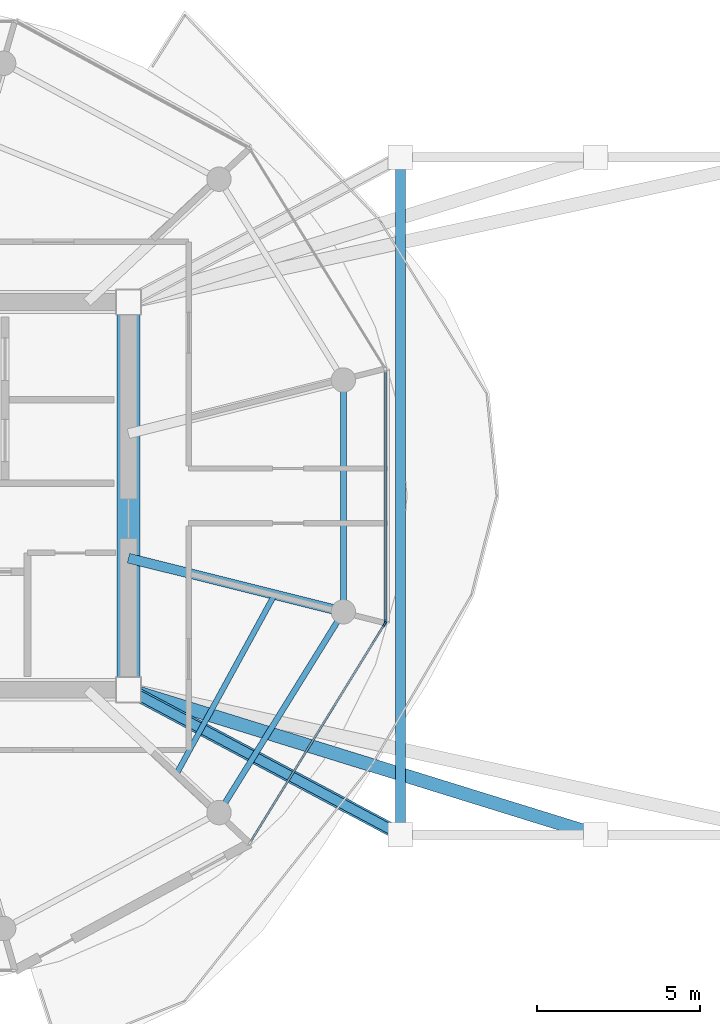
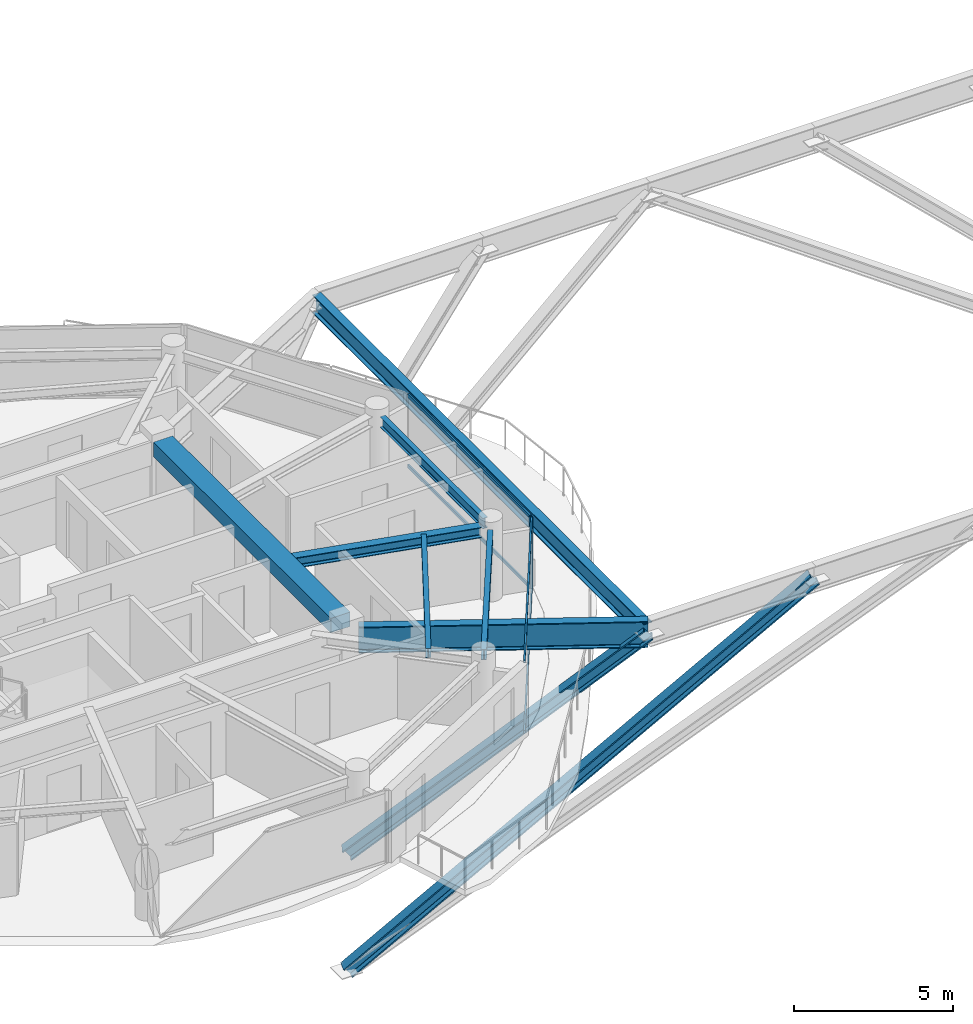
# One storey, part 3 of 23: 8 members, 7 beams, 2 elements without a shape of their own.
"""IFC4 building model written with IfcOpenShell, lengths in metres."""

from ifc_helpers import new_model, si_unit, direction, frame, origin, origin_2d, place, context, subcontext, project, spatial, rectangle, i_section, extrude, source, transform, mapped, material, layer, layer_set, material_profile, profile_set, type_object, type_shapes, element, aggregate, save


model = new_model("IFC4")

# Units and contexts
model_context = context("Model", 3, precision=1e-05, world=origin(), true_north=direction((0.0, 1.0)))
body_context = subcontext(model_context, "Body", "Model", "MODEL_VIEW")
ifc_project = project(units=[si_unit("LENGTHUNIT", "METRE"), si_unit("AREAUNIT", "SQUARE_METRE"), si_unit("VOLUMEUNIT", "CUBIC_METRE"), si_unit("PLANEANGLEUNIT", "RADIAN"), si_unit("MASSUNIT", "GRAM", prefix="KILO")], contexts=[model_context])

# Site, building, storey
site_placement = place(None, origin())
site = spatial("IfcSite", under=ifc_project, at=site_placement, CompositionType="ELEMENT")
building_placement = place(site_placement, origin())
building = spatial("IfcBuilding", under=site, at=building_placement, Name="Norrkilde Senior Care Towers", CompositionType="ELEMENT")
storey_placement = place(building_placement, frame((0.0, 0.0, 196.75)))
storey = spatial("IfcBuildingStorey", under=building, at=storey_placement, Name="L61", CompositionType="ELEMENT", Elevation=196.75)

# Beams
ifc_material_1 = material(Name="Concrete C60/75", Category="concrete")
ifc_material_profile_1 = material_profile(ifc_material_1, rectangle(XDim=0.699951171875, YDim=0.550048828125, at=origin_2d()), Name="RC BM 700x550")
ifc_profile_set_1 = profile_set([ifc_material_profile_1], Name="Concrete C60/75")
beam_type_1 = type_object("IfcBeamType", Name="Core Portal Coupling Beam 700x550", PredefinedType="USERDEFINED", material=ifc_profile_set_1)
shared_shape_1 = source(origin(), body_context, "Body", "SweptSolid", [
    extrude(rectangle(XDim=0.699951171875, YDim=0.550048828125, at=origin_2d()), origin(), (0.0, 0.0, 1.0), 11.14013671875),
])
type_shapes(beam_type_1, [shared_shape_1])
beam_1_placement = place(storey_placement, frame((-20.35009765625, -5.570068359375, 2.485107421875), z_axis=(0.0, 1.0, 0.0), x_axis=(-1.0, 0.0, 0.0)))
element("IfcBeam", 1, at=beam_1_placement, inside=storey, type_object=beam_type_1, Name="L61 Core W E Coupling Girder", ObjectType="GIRDER", PredefinedType="USERDEFINED", context=body_context, shape_type="MappedRepresentation", body=[
    mapped(shared_shape_1, transform((0.0, 0.0, 0.0), x_axis=(1.0, 0.0, 0.0), y_axis=(0.0, 1.0, 0.0), z_axis=(0.0, 0.0, 1.0), scale=1.0)),
])
ifc_material_2 = material(Name="Steel S355", Category="steel")
ifc_material_profile_2 = material_profile(ifc_material_2, i_section(OverallWidth=0.179931640625, OverallDepth=0.39990234375, WebThickness=0.008544921875, FlangeThickness=0.013427734375, FilletRadius=0.02099609375, at=origin_2d()), Name="IPE 400")
ifc_profile_set_2 = profile_set([ifc_material_profile_2], Name="Steel S355")
beam_type_2 = type_object("IfcBeamType", Name="Perimeter Ring Spandrel Z4 IPE400", PredefinedType="SPANDREL", material=ifc_profile_set_2)
shared_shape_2 = source(origin(), body_context, "Body", "SweptSolid", [
    extrude(i_section(OverallWidth=0.179931640625, OverallDepth=0.39990234375, WebThickness=0.008544921875, FlangeThickness=0.013427734375, FilletRadius=0.02099609375, at=origin_2d()), origin(), (0.0, 0.0, 1.0), 6.58056640625),
])
beam_2_placement = place(storey_placement, frame((-17.393798828125, -9.43798828125, 2.56005859375), z_axis=(0.526529583789, 0.850156807533, 0.0), x_axis=(-0.850156807533, 0.526529583789, 0.0)))
element("IfcBeam", 2, at=beam_2_placement, inside=storey, type_object=beam_type_2, Name="L61 Drum W Perimeter Spandrel 11", PredefinedType="SPANDREL", context=body_context, shape_type="MappedRepresentation", body=[
    mapped(shared_shape_2, transform((0.0, 0.0, 0.0), x_axis=(1.0, 0.0, 0.0), y_axis=(0.0, 1.0, 0.0), z_axis=(0.0, 0.0, 1.0), scale=1.0)),
])
ifc_material_profile_3 = material_profile(ifc_material_2, i_section(OverallWidth=0.300048828125, OverallDepth=0.39990234375, WebThickness=0.013427734375, FlangeThickness=0.02392578125, FilletRadius=0.027099609375, at=origin_2d()), Name="HEB 400")
ifc_profile_set_3 = profile_set([ifc_material_profile_3], Name="Steel S355")
beam_type_3 = type_object("IfcBeamType", Name="Radial Floor Beam Z4 HEB400", PredefinedType="BEAM", material=ifc_profile_set_3)
shared_shape_3 = source(origin(), body_context, "Body", "SweptSolid", [
    extrude(i_section(OverallWidth=0.300048828125, OverallDepth=0.39990234375, WebThickness=0.013427734375, FlangeThickness=0.02392578125, FilletRadius=0.027099609375, at=origin_2d()), origin(), (0.0, 0.0, 1.0), 6.465087890625),
])
type_shapes(beam_type_3, [shared_shape_3])
beam_3_placement = place(storey_placement, frame((-20.35009765625, -1.910888671875, 2.56005859375), z_axis=(0.970195788563, -0.242322371758, 0.0), x_axis=(0.242322371758, 0.970195788563, 0.0)))
element("IfcBeam", 3, at=beam_3_placement, inside=storey, type_object=beam_type_3, Name="L61 Drum W Radial Floor Beam 12", PredefinedType="BEAM", context=body_context, shape_type="MappedRepresentation", body=[
    mapped(shared_shape_3, transform((0.0, 0.0, 0.0), x_axis=(1.0, 0.0, 0.0), y_axis=(0.0, 1.0, 0.0), z_axis=(0.0, 0.0, 1.0), scale=1.0)),
])
shared_shape_4 = source(origin(), body_context, "Body", "SweptSolid", [
    extrude(i_section(OverallWidth=0.179931640625, OverallDepth=0.39990234375, WebThickness=0.008544921875, FlangeThickness=0.013427734375, FilletRadius=0.02099609375, at=origin_2d()), origin(), (0.0, 0.0, 1.0), 6.44775390625),
])
type_shapes(beam_type_2, [shared_shape_2, shared_shape_4])
beam_4_placement = place(storey_placement, frame((-13.752685546875, -3.223876953125, 2.56005859375), z_axis=(0.0, 1.0, 0.0), x_axis=(-1.0, 0.0, 0.0)))
element("IfcBeam", 4, at=beam_4_placement, inside=storey, type_object=beam_type_2, Name="L61 Drum W Perimeter Spandrel 12", PredefinedType="SPANDREL", context=body_context, shape_type="MappedRepresentation", body=[
    mapped(shared_shape_4, transform((0.0, 0.0, 0.0), x_axis=(1.0, 0.0, 0.0), y_axis=(0.0, 1.0, 0.0), z_axis=(0.0, 0.0, 1.0), scale=1.0)),
])
ifc_material_profile_4 = material_profile(ifc_material_2, i_section(OverallWidth=0.169921875, OverallDepth=0.360107421875, WebThickness=0.008056640625, FlangeThickness=0.0126953125, FilletRadius=0.01806640625, at=origin_2d()), Name="IPE 360")
ifc_profile_set_4 = profile_set([ifc_material_profile_4], Name="Steel S355")
beam_type_4 = type_object("IfcBeamType", Name="Secondary Floor Joist IPE360", PredefinedType="JOIST", material=ifc_profile_set_4)
shared_shape_5 = source(origin(), body_context, "Body", "SweptSolid", [
    extrude(i_section(OverallWidth=0.169921875, OverallDepth=0.360107421875, WebThickness=0.008056640625, FlangeThickness=0.0126953125, FilletRadius=0.01806640625, at=origin_2d()), origin(), (0.0, 0.0, 1.0), 6.25146484375),
])
type_shapes(beam_type_4, [shared_shape_5])
beam_5_placement = place(storey_placement, frame((-18.865234375, -8.515380859375, 2.580078125), z_axis=(0.480115752653, 0.877205143655, 0.0), x_axis=(-0.877205143655, 0.480115752653, 0.0)))
element("IfcBeam", 5, at=beam_5_placement, inside=storey, type_object=beam_type_4, Name="L61 Drum W Secondary Floor Joist 4", PredefinedType="JOIST", context=body_context, shape_type="MappedRepresentation", body=[
    mapped(shared_shape_5, transform((0.0, 0.0, 0.0), x_axis=(1.0, 0.0, 0.0), y_axis=(0.0, 1.0, 0.0), z_axis=(0.0, 0.0, 1.0), scale=1.0)),
])
ifc_material_profile_5 = material_profile(ifc_material_2, i_section(OverallWidth=0.300048828125, OverallDepth=1.0, WebThickness=0.01904296875, FlangeThickness=0.035888671875, FilletRadius=0.030029296875, at=origin_2d()), Name="HEB 1000")
ifc_profile_set_5 = profile_set([ifc_material_profile_5], Name="Steel S355")
beam_type_5 = type_object("IfcBeamType", Name="Sky Pool Cantilever Girder HEB1000", PredefinedType="USERDEFINED", material=ifc_profile_set_5)
shared_shape_6 = source(origin(), body_context, "Body", "SweptSolid", [
    extrude(i_section(OverallWidth=0.300048828125, OverallDepth=1.0, WebThickness=0.01904296875, FlangeThickness=0.035888671875, FilletRadius=0.030029296875, at=origin_2d()), origin(), (0.0, 0.0, 1.0), 9.081787109375),
])
type_shapes(beam_type_5, [shared_shape_6])
beam_6_placement = place(storey_placement, frame((-20.0146484375, -6.128662109375, 2.1298828125), z_axis=(0.882500984168, -0.47031054947, 0.0), x_axis=(0.47031054947, 0.882500984168, 0.0)))
element("IfcBeam", 6, at=beam_6_placement, inside=storey, type_object=beam_type_5, Name="L61 Sky-Gate Bridge Transfer Girder S1", ObjectType="GIRDER", PredefinedType="USERDEFINED", context=body_context, shape_type="MappedRepresentation", body=[
    mapped(shared_shape_6, transform((0.0, 0.0, 0.0), x_axis=(1.0, 0.0, 0.0), y_axis=(0.0, 1.0, 0.0), z_axis=(0.0, 0.0, 1.0), scale=1.0)),
])

# Members
ifc_material_profile_6 = material_profile(ifc_material_2, i_section(OverallWidth=0.412109375, OverallDepth=0.449951171875, WebThickness=0.028076171875, FlangeThickness=0.044921875, FilletRadius=0.014892578125, at=origin_2d()), Name="HD 400x509")
ifc_profile_set_6 = profile_set([ifc_material_profile_6], Name="Steel S355")
member_type_1 = type_object("IfcMemberType", Name="Pratt Bridge Truss Diagonal HD400x509", PredefinedType="BRACE", material=ifc_profile_set_6)
shared_shape_7 = source(origin(), body_context, "Body", "SweptSolid", [
    extrude(i_section(OverallWidth=0.412109375, OverallDepth=0.449951171875, WebThickness=0.028076171875, FlangeThickness=0.044921875, FilletRadius=0.014892578125, at=origin_2d()), origin(), (0.0, 0.0, 1.0), 12.540283203125),
])
member_1_placement = place(storey_placement, frame((-20.35009765625, -5.949951171875, -6.10009765625), z_axis=(0.665861815831, -0.354852444803, 0.656283311258), x_axis=(0.470305631528, 0.882503605065, 0.0)))
element("IfcMember", 7, at=member_1_placement, inside=storey, type_object=member_type_1, Name="L61 Sky-Gate Portal Arch Strut S-W12", PredefinedType="BRACE", context=body_context, shape_type="MappedRepresentation", body=[
    mapped(shared_shape_7, transform((0.0, 0.0, 0.0), x_axis=(1.0, 0.0, 0.0), y_axis=(0.0, 1.0, 0.0), z_axis=(0.0, 0.0, 1.0), scale=1.0)),
])
shared_shape_8 = source(origin(), body_context, "Body", "SweptSolid", [
    extrude(i_section(OverallWidth=0.412109375, OverallDepth=0.449951171875, WebThickness=0.028076171875, FlangeThickness=0.044921875, FilletRadius=0.014892578125, at=origin_2d()), origin(), (0.0, 0.0, 1.0), 19.692138671875),
])
type_shapes(member_type_1, [shared_shape_7, shared_shape_8])
member_2_placement = place(storey_placement, frame((-20.35009765625, -5.949951171875, -10.60009765625), z_axis=(0.728722672349, -0.225976184098, 0.646450331444), x_axis=(0.296185052015, 0.955130574824, 0.0)))
element("IfcMember", 8, at=member_2_placement, inside=storey, type_object=member_type_1, Name="L61 Sky-Gate Portal Arch Strut S-W06", PredefinedType="BRACE", context=body_context, shape_type="MappedRepresentation", body=[
    mapped(shared_shape_8, transform((0.0, 0.0, 0.0), x_axis=(1.0, 0.0, 0.0), y_axis=(0.0, 1.0, 0.0), z_axis=(0.0, 0.0, 1.0), scale=1.0)),
])

# Beam
ifc_material_profile_7 = material_profile(ifc_material_2, i_section(OverallWidth=0.300048828125, OverallDepth=0.699951171875, WebThickness=0.01708984375, FlangeThickness=0.031982421875, FilletRadius=0.027099609375, at=origin_2d()), Name="HEB 700")
ifc_profile_set_7 = profile_set([ifc_material_profile_7], Name="Steel S355")
beam_type_6 = type_object("IfcBeamType", Name="Bridge Cross Girder HEB700", PredefinedType="USERDEFINED", material=ifc_profile_set_7)
shared_shape_9 = source(origin(), body_context, "Body", "SweptSolid", [
    extrude(i_section(OverallWidth=0.300048828125, OverallDepth=0.699951171875, WebThickness=0.01708984375, FlangeThickness=0.031982421875, FilletRadius=0.027099609375, at=origin_2d()), origin(), (0.0, 0.0, 1.0), 20.7998046875),
])
type_shapes(beam_type_6, [shared_shape_9])
beam_7_placement = place(storey_placement, frame((-12.0, -10.39990234375, 2.1298828125), z_axis=(0.0, 1.0, 0.0), x_axis=(-1.0, 0.0, 0.0)))
element("IfcBeam", 9, at=beam_7_placement, inside=storey, type_object=beam_type_6, Name="L61 Sky-Gate Base Cross Girder -12", ObjectType="GIRDER", PredefinedType="USERDEFINED", context=body_context, shape_type="MappedRepresentation", body=[
    mapped(shared_shape_9, transform((0.0, 0.0, 0.0), x_axis=(1.0, 0.0, 0.0), y_axis=(0.0, 1.0, 0.0), z_axis=(0.0, 0.0, 1.0), scale=1.0)),
])

# Curtain wall, members
ifc_material_3 = material(Name="Triple Low-E Insulated Glazing", Category="glass")
ifc_layer = layer(ifc_material_3, 0.18505859375)
ifc_layer_set = layer_set([ifc_layer], Name="Triple Low-E Insulated Glazing")
curtain_wall_type = type_object("IfcCurtainWallType", Name="CW6 Zone 4 Crown Pavilion Curtain Wall", PredefinedType="NOTDEFINED", material=ifc_layer_set)
curtain_wall_1_placement = place(storey_placement, origin())
curtain_wall_1 = element("IfcCurtainWall", 10, at=curtain_wall_1_placement, inside=storey, type_object=curtain_wall_type, Name="L61 Drum W Curtain Wall 10", PredefinedType="NOTDEFINED")
ifc_material_4 = material(Name="Anodised Aluminium", Category="aluminium")
ifc_material_profile_8 = material_profile(ifc_material_4, rectangle(XDim=0.06005859375, YDim=0.1201171875, at=origin_2d()), Name="ALU TRAN 60x120")
ifc_profile_set_8 = profile_set([ifc_material_profile_8], Name="Anodised Aluminium")
member_type_2 = type_object("IfcMemberType", Name="Curtain Wall Transom Typical 60x120", PredefinedType="USERDEFINED", material=ifc_profile_set_8)
shared_shape_10 = source(origin(), body_context, "Body", "SweptSolid", [
    extrude(rectangle(XDim=0.06005859375, YDim=0.1201171875, at=origin_2d()), origin(), (0.0, 0.0, 1.0), 7.808837890625),
])
member_3_placement = place(storey_placement, frame((-12.501953125, -3.958251953125, 0.030029296875), z_axis=(-0.524250924101, -0.851563837055, 0.0), x_axis=(0.851563837055, -0.524250924101, 0.0)))
member_3 = element("IfcMember", 11, at=member_3_placement, type_object=member_type_2, Name="CW-6 transom 1.1", ObjectType="TRANSOM", PredefinedType="USERDEFINED", context=body_context, shape_type="MappedRepresentation", body=[
    mapped(shared_shape_10, transform((0.0, 0.0, 0.0), x_axis=(1.0, 0.0, 0.0), y_axis=(0.0, 1.0, 0.0), z_axis=(0.0, 0.0, 1.0), scale=1.0)),
])
member_4_placement = place(storey_placement, frame((-12.501953125, -3.958251953125, 2.72998046875), z_axis=(-0.524250924101, -0.851563837055, 0.0), x_axis=(0.851563837055, -0.524250924101, 0.0)))
member_4 = element("IfcMember", 12, at=member_4_placement, type_object=member_type_2, Name="CW-6 transom 1.2", ObjectType="TRANSOM", PredefinedType="USERDEFINED", context=body_context, shape_type="MappedRepresentation", body=[
    mapped(shared_shape_10, transform((0.0, 0.0, 0.0), x_axis=(1.0, 0.0, 0.0), y_axis=(0.0, 1.0, 0.0), z_axis=(0.0, 0.0, 1.0), scale=1.0)),
])

curtain_wall_2_placement = place(storey_placement, origin())
curtain_wall_2 = element("IfcCurtainWall", 13, at=curtain_wall_2_placement, inside=storey, type_object=curtain_wall_type, Name="L61 Drum W Curtain Wall 11", PredefinedType="NOTDEFINED")
shared_shape_11 = source(origin(), body_context, "Body", "SweptSolid", [
    extrude(rectangle(XDim=0.06005859375, YDim=0.1201171875, at=origin_2d()), origin(), (0.0, 0.0, 1.0), 7.67578125),
])
type_shapes(member_type_2, [shared_shape_10, shared_shape_11])
member_5_placement = place(storey_placement, frame((-12.468017578125, 3.837890625, 0.030029296875), z_axis=(0.0, -1.0, 0.0), x_axis=(1.0, 0.0, 0.0)))
member_5 = element("IfcMember", 14, at=member_5_placement, type_object=member_type_2, Name="CW-6 transom 1.1", ObjectType="TRANSOM", PredefinedType="USERDEFINED", context=body_context, shape_type="MappedRepresentation", body=[
    mapped(shared_shape_11, transform((0.0, 0.0, 0.0), x_axis=(1.0, 0.0, 0.0), y_axis=(0.0, 1.0, 0.0), z_axis=(0.0, 0.0, 1.0), scale=1.0)),
])
member_6_placement = place(storey_placement, frame((-12.468017578125, 3.837890625, 2.72998046875), z_axis=(0.0, -1.0, 0.0), x_axis=(1.0, 0.0, 0.0)))
member_6 = element("IfcMember", 15, at=member_6_placement, type_object=member_type_2, Name="CW-6 transom 1.2", ObjectType="TRANSOM", PredefinedType="USERDEFINED", context=body_context, shape_type="MappedRepresentation", body=[
    mapped(shared_shape_11, transform((0.0, 0.0, 0.0), x_axis=(1.0, 0.0, 0.0), y_axis=(0.0, 1.0, 0.0), z_axis=(0.0, 0.0, 1.0), scale=1.0)),
])

# Member
ifc_material_profile_9 = material_profile(ifc_material_4, rectangle(XDim=0.06494140625, YDim=0.14990234375, at=origin_2d()), Name="ALU MULL 65x150")
ifc_profile_set_9 = profile_set([ifc_material_profile_9], Name="Anodised Aluminium")
member_type_3 = type_object("IfcMemberType", Name="Curtain Wall Mullion Z3-Z4 65x150", PredefinedType="MULLION", material=ifc_profile_set_9)
shared_shape_12 = source(origin(), body_context, "Body", "SweptSolid", [
    extrude(rectangle(XDim=0.06494140625, YDim=0.14990234375, at=origin_2d()), origin(), (0.0, 0.0, 1.0), 2.760009765625),
])
type_shapes(member_type_3, [shared_shape_12])
member_7_placement = place(storey_placement, frame((-12.48486328125, -3.9306640625, 0.0), z_axis=(0.0, 0.0, 1.0), x_axis=(0.851562727283, -0.524252726748, 0.0)))
member_7 = element("IfcMember", 16, at=member_7_placement, type_object=member_type_3, Name="CW-6 mullion 1", PredefinedType="MULLION", context=body_context, shape_type="MappedRepresentation", body=[
    mapped(shared_shape_12, transform((0.0, 0.0, 0.0), x_axis=(1.0, 0.0, 0.0), y_axis=(0.0, 1.0, 0.0), z_axis=(0.0, 0.0, 1.0), scale=1.0)),
])

aggregate(curtain_wall_1, [member_7, member_3, member_4])

member_8_placement = place(storey_placement, frame((-12.468017578125, -3.87060546875, 0.0), z_axis=(0.0, 0.0, 1.0), x_axis=(1.0, 0.0, 0.0)))
member_8 = element("IfcMember", 17, at=member_8_placement, type_object=member_type_3, Name="CW-6 mullion 2", PredefinedType="MULLION", context=body_context, shape_type="MappedRepresentation", body=[
    mapped(shared_shape_12, transform((0.0, 0.0, 0.0), x_axis=(1.0, 0.0, 0.0), y_axis=(0.0, 1.0, 0.0), z_axis=(0.0, 0.0, 1.0), scale=1.0)),
])

aggregate(curtain_wall_2, [member_8, member_5, member_6])

save(model, "model.ifc")
